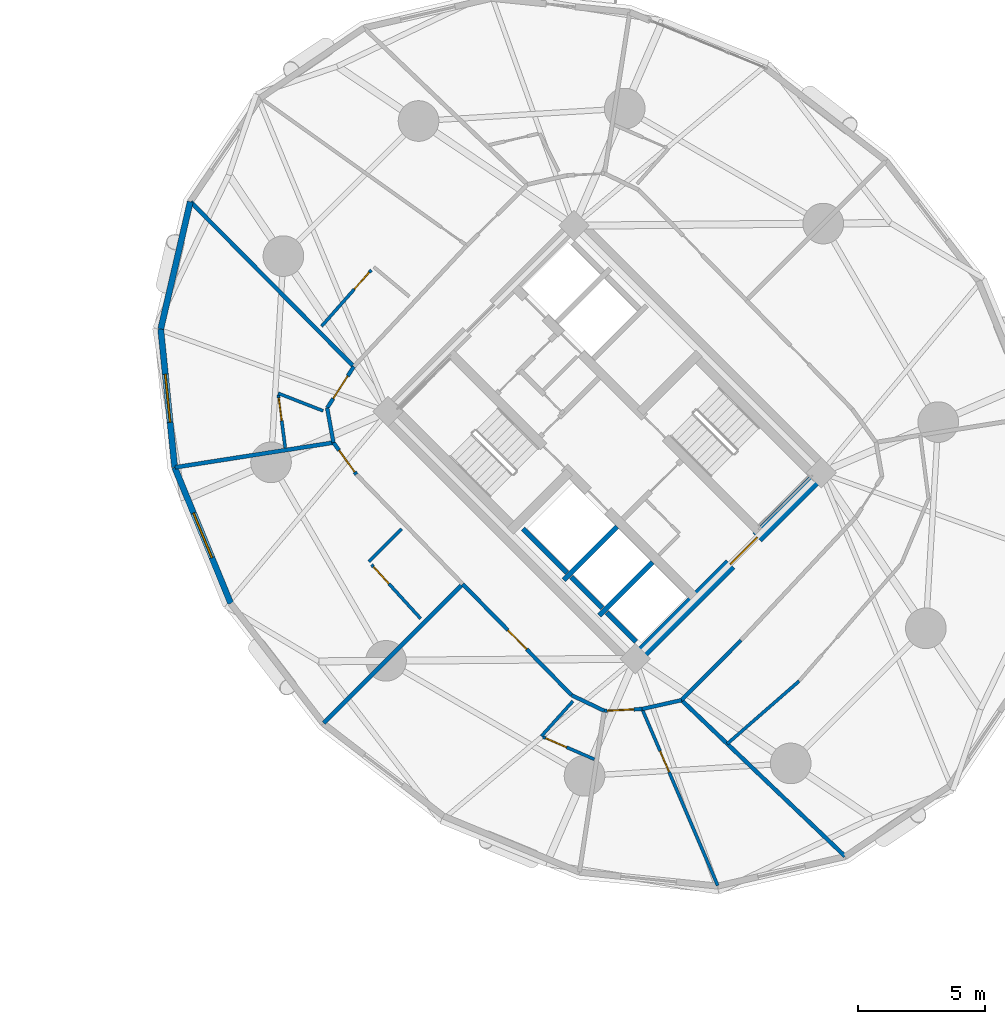
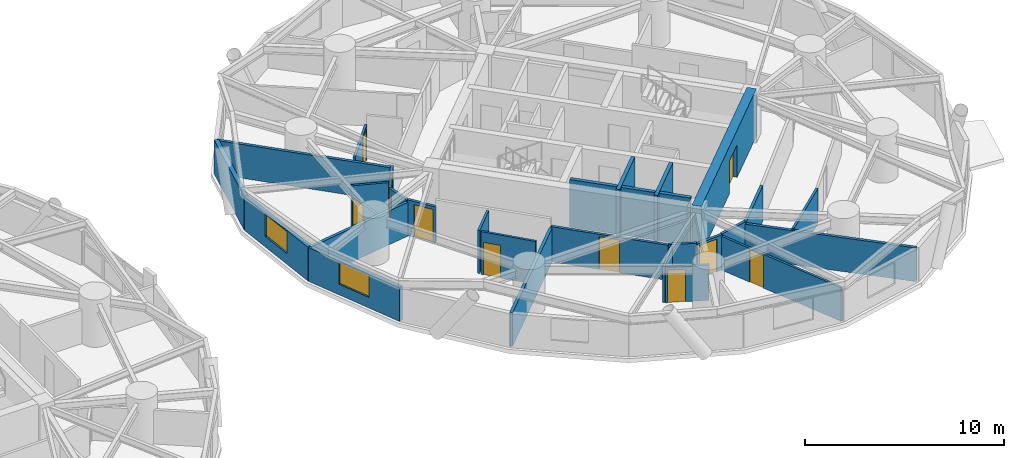
# One storey, part 12 of 18: 30 walls, 10 doors, 2 windows, 12 openings.
"""IFC4 building model written with IfcOpenShell, lengths in metres."""

from ifc_helpers import new_model, si_unit, direction, frame, frame_2d, origin, place, context, subcontext, project, spatial, rectangle, extrude, source, transform, mapped, material, layer, layer_set, type_object, element, fill, save


model = new_model("IFC4")

# Units and contexts
model_context = context("Model", 3, precision=1e-05, world=origin(), true_north=direction((0.0, 1.0)))
body_context = subcontext(model_context, "Body", "Model", "MODEL_VIEW")
ifc_project = project(units=[si_unit("LENGTHUNIT", "METRE"), si_unit("AREAUNIT", "SQUARE_METRE"), si_unit("VOLUMEUNIT", "CUBIC_METRE"), si_unit("PLANEANGLEUNIT", "RADIAN"), si_unit("MASSUNIT", "GRAM", prefix="KILO")], contexts=[model_context])

# Site, building, storey
site_placement = place(None, origin())
site = spatial("IfcSite", under=ifc_project, at=site_placement, CompositionType="ELEMENT")
building_placement = place(site_placement, origin())
building = spatial("IfcBuilding", under=site, at=building_placement, Name="Cununo Teusaquillo Station Towers", CompositionType="ELEMENT")
storey_placement = place(building_placement, frame((0.0, 0.0, 51.10009765625)))
storey = spatial("IfcBuildingStorey", under=building, at=storey_placement, Name="L15", CompositionType="ELEMENT", Elevation=51.10009765625)

# Walls
ifc_material_1 = material(Name="Concrete C50/60", Category="concrete")
ifc_layer_1 = layer(ifc_material_1, 0.199951171875)
ifc_layer_set_1 = layer_set([ifc_layer_1], Name="Concrete C50/60")
wall_type_1 = type_object("IfcWallType", Name="WL-CORE-200", PredefinedType="SHEAR", material=ifc_layer_set_1)
wall_1_placement = place(storey_placement, frame((55.8876953125, 19.0693359375, 0.0), z_axis=(0.0, 0.0, 1.0), x_axis=(0.707106781187, 0.707106781187, 0.0)))
element("IfcWall", 1, at=wall_1_placement, inside=storey, type_object=wall_type_1, Name="L15 Tower B Firefighting Lift Shaft South Shear Wall", PredefinedType="SHEAR", context=body_context, shape_type="SweptSolid", body=[
    extrude(rectangle(XDim=2.969970703125, YDim=0.199951171875, at=frame_2d((1.48486328125, 0.0))), origin(), (0.0, 0.0, 1.0), 2.909912109375),
])
wall_2_placement = place(storey_placement, frame((56.01513671875, 19.366455078125, 0.0), z_axis=(0.0, 0.0, 1.0), x_axis=(-0.707106781187, 0.707106781187, 0.0)))
element("IfcWall", 2, at=wall_2_placement, inside=storey, type_object=wall_type_1, Name="L15 Tower B Firefighting Lift Shaft Rear Shear Wall", PredefinedType="SHEAR", context=body_context, shape_type="SweptSolid", body=[
    extrude(rectangle(XDim=2.43994140625, YDim=0.199951171875, at=frame_2d((1.219970703125, 0.0))), origin(), (0.0, 0.0, 1.0), 2.909912109375),
])
wall_3_placement = place(storey_placement, frame((57.2841796875, 17.6728515625, 0.0), z_axis=(0.0, 0.0, 1.0), x_axis=(0.707147878904, 0.70706568108, 0.0)))
element("IfcWall", 3, at=wall_3_placement, inside=storey, type_object=wall_type_1, Name="L15 Tower B High-Rise Lift Hoistway Divider Shear Wall", PredefinedType="SHEAR", context=body_context, shape_type="SweptSolid", body=[
    extrude(rectangle(XDim=2.97021484375, YDim=0.199951171875, at=frame_2d((1.485107421875, 0.0))), origin(), (0.0, 0.0, 1.0), 2.909912109375),
])
wall_4_placement = place(storey_placement, frame((57.41162109375, 17.969970703125, 0.0), z_axis=(0.0, 0.0, 1.0), x_axis=(-0.707106781187, 0.707106781187, 0.0)))
element("IfcWall", 4, at=wall_4_placement, inside=storey, type_object=wall_type_1, Name="L15 Tower B High-Rise Lift 2 Shaft Rear Shear Wall", PredefinedType="SHEAR", context=body_context, shape_type="SweptSolid", body=[
    extrude(rectangle(XDim=1.73486328125, YDim=0.199951171875, at=frame_2d((0.867431640625, 0.0))), origin(), (0.0, 0.0, 1.0), 2.909912109375),
])
wall_5_placement = place(storey_placement, frame((58.7373046875, 16.64404296875, 0.0), z_axis=(0.0, 0.0, 1.0), x_axis=(-0.707032117043, 0.707181437447, 0.0)))
element("IfcWall", 5, at=wall_5_placement, inside=storey, type_object=wall_type_1, Name="L15 Tower B High-Rise Lift 1 Shaft Rear Shear Wall", PredefinedType="SHEAR", context=body_context, shape_type="SweptSolid", body=[
    extrude(rectangle(XDim=1.635009765625, YDim=0.199951171875, at=frame_2d((0.8173828125, 0.0))), origin(), (0.0, 0.0, 1.0), 2.909912109375),
])

# Wall, opening, door
ifc_material_2 = material(Name="Concrete C60/75", Category="concrete")
ifc_layer_2 = layer(ifc_material_2, 0.5)
ifc_layer_set_2 = layer_set([ifc_layer_2], Name="Concrete C60/75")
wall_type_2 = type_object("IfcWallType", Name="WL-CORE-500", PredefinedType="SHEAR", material=ifc_layer_set_2)
wall_6_placement = place(storey_placement, frame((58.595947265625, 15.837890625, 0.0), z_axis=(0.0, 0.0, 1.0), x_axis=(0.707106781187, 0.707106781187, 0.0)))
wall_6 = element("IfcWall", 6, at=wall_6_placement, inside=storey, type_object=wall_type_2, Name="L15 Tower B Core Shear Wall S", PredefinedType="SHEAR", context=body_context, shape_type="SweptSolid", body=[
    extrude(rectangle(XDim=10.7001953125, YDim=0.5, at=frame_2d((5.35009765625, 0.0))), origin(), (0.0, 0.0, 1.0), 2.909912109375),
])
shared_shape_1 = source(origin(), body_context, "Body", "SweptSolid", [
    extrude(rectangle(XDim=1.5, YDim=2.02001953125, at=frame_2d((0.75, 1.010009765625))), frame((0.0, 0.260009765625, 0.0), z_axis=(0.0, -1.0, 0.0), x_axis=(1.0, 0.0, 0.0)), (0.0, 0.0, 1.0), 0.52001953125),
])
opening_1_placement = place(wall_6_placement, frame((5.449951171875, 0.0, 0.0)))
opening_1 = element("IfcOpeningElement", 7, at=opening_1_placement, cuts=wall_6, Name="Opening D-LB1", PredefinedType="OPENING", context=body_context, shape_type="MappedRepresentation", body=[
    mapped(shared_shape_1, transform((0.0, 0.0, 0.0), x_axis=(1.0, 0.0, 0.0), y_axis=(0.0, 1.0, 0.0), z_axis=(0.0, 0.0, 1.0), scale=1.0)),
])
ifc_material_3 = material(Name="Galvanised fire-rated hollow steel door assembly", Category="steel")
door_type_1 = type_object("IfcDoorType", Name="DR-LOBBY-1500", OperationType="DOUBLE_DOOR_SINGLE_SWING", PredefinedType="DOOR", material=ifc_material_3)
shared_shape_2 = source(origin(), body_context, "Body", "SweptSolid", [
    extrude(rectangle(XDim=1.5, YDim=2.02001953125, at=frame_2d((0.75, 1.010009765625))), frame((0.0, 0.02490234375, 0.0), z_axis=(0.0, -1.0, 0.0), x_axis=(1.0, 0.0, 0.0)), (0.0, 0.0, 1.0), 0.050048828125),
])
door_1_placement = place(opening_1_placement, origin())
door_1 = element("IfcDoor", 8, at=door_1_placement, inside=storey, type_object=door_type_1, Name="L15 Tower B South Core Lift Lobby Door", OperationType="DOUBLE_DOOR_SINGLE_SWING", OverallHeight=2.02001953125, OverallWidth=1.5, PredefinedType="DOOR", context=body_context, shape_type="MappedRepresentation", body=[
    mapped(shared_shape_2, transform((0.0, 0.0, 0.0), x_axis=(1.0, 0.0, 0.0), y_axis=(0.0, 1.0, 0.0), z_axis=(0.0, 0.0, 1.0), scale=1.0)),
])
fill(opening_1, door_1)

# Wall
ifc_material_4 = material(Name="Precast concrete C40/50", Category="concrete")
ifc_layer_3 = layer(ifc_material_4, 0.239990234375)
ifc_layer_set_3 = layer_set([ifc_layer_3], Name="Precast concrete C40/50")
wall_type_3 = type_object("IfcWallType", Name="WL-EXT-240", PredefinedType="SOLIDWALL", material=ifc_layer_set_3)
wall_7_placement = place(storey_placement, frame((40.023681640625, 28.95654296875, 0.0), z_axis=(0.0, 0.0, 1.0), x_axis=(0.225833060959, 0.974166016949, 0.0)))
element("IfcWall", 9, at=wall_7_placement, inside=storey, type_object=wall_type_3, Name="L15 Tower B Exterior Facade Wall C06", PredefinedType="SOLIDWALL", context=body_context, shape_type="SweptSolid", body=[
    extrude(rectangle(XDim=5.14599609375, YDim=0.239990234375, at=frame_2d((2.572998046875, 0.0))), origin(), (0.0, 0.0, 1.0), 2.072998046875),
])

# Wall, opening, window
wall_8_placement = place(storey_placement, frame((40.572265625, 23.50732421875, 0.0), z_axis=(0.0, 0.0, 1.0), x_axis=(-0.100165739718, 0.994970765694, 0.0)))
wall_8 = element("IfcWall", 10, at=wall_8_placement, inside=storey, type_object=wall_type_3, Name="L15 Tower B Exterior Facade Wall C07", PredefinedType="SOLIDWALL", context=body_context, shape_type="SweptSolid", body=[
    extrude(rectangle(XDim=5.476806640625, YDim=0.239990234375, at=frame_2d((2.73828125, 0.0))), origin(), (0.0, 0.0, 1.0), 2.072998046875),
])
shared_shape_3 = source(origin(), body_context, "Body", "SweptSolid", [
    extrude(rectangle(XDim=1.89990234375, YDim=1.35009765625, at=frame_2d((0.949951171875, 0.675048828125))), frame((0.0, 0.1298828125, 0.0), z_axis=(0.0, -1.0, 0.0), x_axis=(1.0, 0.0, 0.0)), (0.0, 0.0, 1.0), 0.260009765625),
])
opening_2_placement = place(wall_8_placement, frame((1.7880859375, 0.0, 0.64990234375)))
opening_2 = element("IfcOpeningElement", 11, at=opening_2_placement, cuts=wall_8, Name="Opening WN-02", PredefinedType="OPENING", context=body_context, shape_type="MappedRepresentation", body=[
    mapped(shared_shape_3, transform((0.0, 0.0, 0.0), x_axis=(1.0, 0.0, 0.0), y_axis=(0.0, 1.0, 0.0), z_axis=(0.0, 0.0, 1.0), scale=1.0)),
])
ifc_material_5 = material(Name="Operable acoustic tinted low-E double glazing", Category="glass")
window_type = type_object("IfcWindowType", Name="WIN-OPER-1900", PartitioningType="DOUBLE_PANEL_VERTICAL", PredefinedType="WINDOW", material=ifc_material_5)
shared_shape_4 = source(origin(), body_context, "Body", "SweptSolid", [
    extrude(rectangle(XDim=1.89990234375, YDim=1.35009765625, at=frame_2d((0.949951171875, 0.675048828125))), frame((0.0, 0.030029296875, 0.0), z_axis=(0.0, -1.0, 0.0), x_axis=(1.0, 0.0, 0.0)), (0.0, 0.0, 1.0), 0.06005859375),
])
window_1_placement = place(opening_2_placement, origin())
window_1 = element("IfcWindow", 12, at=window_1_placement, inside=storey, type_object=window_type, Name="L15 Tower B Facade Window C07", OverallHeight=1.35009765625, OverallWidth=1.89990234375, PartitioningType="DOUBLE_PANEL_VERTICAL", PredefinedType="WINDOW", context=body_context, shape_type="MappedRepresentation", body=[
    mapped(shared_shape_4, transform((0.0, 0.0, 0.0), x_axis=(1.0, 0.0, 0.0), y_axis=(0.0, 1.0, 0.0), z_axis=(0.0, 0.0, 1.0), scale=1.0)),
])
fill(opening_2, window_1)

wall_9_placement = place(storey_placement, frame((42.77783203125, 18.155517578125, 0.0), z_axis=(0.0, 0.0, 1.0), x_axis=(-0.381027682565, 0.924563629567, 0.0)))
wall_9 = element("IfcWall", 13, at=wall_9_placement, inside=storey, type_object=wall_type_3, Name="L15 Tower B Exterior Facade Wall C08", PredefinedType="SOLIDWALL", context=body_context, shape_type="SweptSolid", body=[
    extrude(rectangle(XDim=5.78857421875, YDim=0.239990234375, at=frame_2d((2.894287109375, 0.0))), origin(), (0.0, 0.0, 1.0), 2.072998046875),
])
opening_3_placement = place(wall_9_placement, frame((1.944091796875, 0.0, 0.64990234375)))
opening_3 = element("IfcOpeningElement", 14, at=opening_3_placement, cuts=wall_9, Name="Opening WN-02", PredefinedType="OPENING", context=body_context, shape_type="MappedRepresentation", body=[
    mapped(shared_shape_3, transform((0.0, 0.0, 0.0), x_axis=(1.0, 0.0, 0.0), y_axis=(0.0, 1.0, 0.0), z_axis=(0.0, 0.0, 1.0), scale=1.0)),
])
window_2_placement = place(opening_3_placement, origin())
window_2 = element("IfcWindow", 15, at=window_2_placement, inside=storey, type_object=window_type, Name="L15 Tower B Facade Window C08", OverallHeight=1.35009765625, OverallWidth=1.89990234375, PartitioningType="DOUBLE_PANEL_VERTICAL", PredefinedType="WINDOW", context=body_context, shape_type="MappedRepresentation", body=[
    mapped(shared_shape_4, transform((0.0, 0.0, 0.0), x_axis=(1.0, 0.0, 0.0), y_axis=(0.0, 1.0, 0.0), z_axis=(0.0, 0.0, 1.0), scale=1.0)),
])
fill(opening_3, window_2)

# Wall, opening, door
ifc_material_6 = material(Name="Fire-rated gypsum plasterboard partition assembly", Category="gypsum")
ifc_layer_4 = layer(ifc_material_6, 0.125)
ifc_layer_set_4 = layer_set([ifc_layer_4], Name="Fire-rated gypsum plasterboard partition assembly")
wall_type_4 = type_object("IfcWallType", Name="WL-PART-125", PredefinedType="PARTITIONING", material=ifc_layer_set_4)
wall_10_placement = place(storey_placement, frame((48.312744140625, 31.2802734375, 0.0), z_axis=(0.0, 0.0, 1.0), x_axis=(-0.662230126621, -0.749300513409, 0.0)))
wall_10 = element("IfcWall", 16, at=wall_10_placement, inside=storey, type_object=wall_type_4, Name="L15 Tower B S02 En-suite Back Wall", PredefinedType="PARTITIONING", context=body_context, shape_type="SweptSolid", body=[
    extrude(rectangle(XDim=2.958251953125, YDim=0.125, at=frame_2d((1.47900390625, 0.0))), origin(), (0.0, 0.0, 1.0), 2.158935546875),
])
shared_shape_5 = source(origin(), body_context, "Body", "SweptSolid", [
    extrude(rectangle(XDim=0.89990234375, YDim=2.0048828125, at=frame_2d((0.449951171875, 1.00244140625))), frame((0.0, 0.072509765625, 0.0), z_axis=(0.0, -1.0, 0.0), x_axis=(1.0, 0.0, 0.0)), (0.0, 0.0, 1.0), 0.14501953125),
])
opening_4_placement = place(wall_10_placement, frame((0.1201171875, 0.0, 0.0)))
opening_4 = element("IfcOpeningElement", 17, at=opening_4_placement, cuts=wall_10, Name="Opening D-IN1", PredefinedType="OPENING", context=body_context, shape_type="MappedRepresentation", body=[
    mapped(shared_shape_5, transform((0.0, 0.0, 0.0), x_axis=(1.0, 0.0, 0.0), y_axis=(0.0, 1.0, 0.0), z_axis=(0.0, 0.0, 1.0), scale=1.0)),
])
ifc_material_7 = material(Name="Acoustic solid-core hardwood leaf assembly", Category="wood")
door_type_2 = type_object("IfcDoorType", Name="DR-INT-900", OperationType="NOTDEFINED", PredefinedType="DOOR", material=ifc_material_7)
shared_shape_6 = source(origin(), body_context, "Body", "SweptSolid", [
    extrude(rectangle(XDim=0.89990234375, YDim=2.0048828125, at=frame_2d((0.449951171875, 1.00244140625))), frame((0.0, 0.02490234375, 0.0), z_axis=(0.0, -1.0, 0.0), x_axis=(1.0, 0.0, 0.0)), (0.0, 0.0, 1.0), 0.050048828125),
])
door_2_placement = place(opening_4_placement, origin())
door_2 = element("IfcDoor", 18, at=door_2_placement, inside=storey, type_object=door_type_2, Name="L15 Tower B S02 En-suite Bathroom Door", OperationType="SINGLE_SWING_LEFT", OverallHeight=2.0048828125, OverallWidth=0.89990234375, PredefinedType="DOOR", context=body_context, shape_type="MappedRepresentation", body=[
    mapped(shared_shape_6, transform((0.0, 0.0, 0.0), x_axis=(1.0, 0.0, 0.0), y_axis=(0.0, 1.0, 0.0), z_axis=(0.0, 0.0, 1.0), scale=1.0)),
])
fill(opening_4, door_2)

# Wall
wall_11_placement = place(storey_placement, frame((46.415771484375, 25.734619140625, 0.0), z_axis=(0.0, 0.0, 1.0), x_axis=(-0.931623241188, 0.363425558373, 0.0)))
element("IfcWall", 19, at=wall_11_placement, inside=storey, type_object=wall_type_4, Name="L15 Tower B S03 En-suite Side Wall", PredefinedType="PARTITIONING", context=body_context, shape_type="SweptSolid", body=[
    extrude(rectangle(XDim=1.900390625, YDim=0.125, at=frame_2d((0.9501953125, 0.0))), origin(), (0.0, 0.0, 1.0), 2.635009765625),
])

# Wall, opening, door
wall_12_placement = place(storey_placement, frame((44.653564453125, 26.360595703125, 0.0), z_axis=(0.0, 0.0, 1.0), x_axis=(0.129433729192, -0.991588074629, 0.0)))
wall_12 = element("IfcWall", 20, at=wall_12_placement, inside=storey, type_object=wall_type_4, Name="L15 Tower B S03 En-suite Back Wall", PredefinedType="PARTITIONING", context=body_context, shape_type="SweptSolid", body=[
    extrude(rectangle(XDim=2.097412109375, YDim=0.125, at=frame_2d((1.048828125, 0.0))), origin(), (0.0, 0.0, 1.0), 2.072998046875),
])
opening_5_placement = place(wall_12_placement, frame((0.1201171875, 0.0, 0.0)))
opening_5 = element("IfcOpeningElement", 21, at=opening_5_placement, cuts=wall_12, Name="Opening D-IN1", PredefinedType="OPENING", context=body_context, shape_type="MappedRepresentation", body=[
    mapped(shared_shape_5, transform((0.0, 0.0, 0.0), x_axis=(1.0, 0.0, 0.0), y_axis=(0.0, 1.0, 0.0), z_axis=(0.0, 0.0, 1.0), scale=1.0)),
])
door_3_placement = place(opening_5_placement, origin())
door_3 = element("IfcDoor", 22, at=door_3_placement, inside=storey, type_object=door_type_2, Name="L15 Tower B S03 En-suite Bathroom Door", OperationType="SINGLE_SWING_LEFT", OverallHeight=2.0048828125, OverallWidth=0.89990234375, PredefinedType="DOOR", context=body_context, shape_type="MappedRepresentation", body=[
    mapped(shared_shape_6, transform((0.0, 0.0, 0.0), x_axis=(1.0, 0.0, 0.0), y_axis=(0.0, 1.0, 0.0), z_axis=(0.0, 0.0, 1.0), scale=1.0)),
])
fill(opening_5, door_3)

# Wall
wall_13_placement = place(storey_placement, frame((49.498291015625, 21.087158203125, 0.0), z_axis=(0.0, 0.0, 1.0), x_axis=(-0.702129708151, -0.71204906638, 0.0)))
element("IfcWall", 23, at=wall_13_placement, inside=storey, type_object=wall_type_4, Name="L15 Tower B S04 En-suite Side Wall", PredefinedType="PARTITIONING", context=body_context, shape_type="SweptSolid", body=[
    extrude(rectangle(XDim=1.8212890625, YDim=0.125, at=frame_2d((0.91064453125, 0.0))), origin(), (0.0, 0.0, 1.0), 2.635009765625),
])

# Wall, opening, door
wall_14_placement = place(storey_placement, frame((48.3203125, 19.6796875, 0.0), z_axis=(0.0, 0.0, 1.0), x_axis=(0.673403410236, -0.739275217414, 0.0)))
wall_14 = element("IfcWall", 24, at=wall_14_placement, inside=storey, type_object=wall_type_4, Name="L15 Tower B S04 En-suite Back Wall", PredefinedType="PARTITIONING", context=body_context, shape_type="SweptSolid", body=[
    extrude(rectangle(XDim=2.8759765625, YDim=0.125, at=frame_2d((1.43798828125, 0.0))), origin(), (0.0, 0.0, 1.0), 2.635009765625),
])
opening_6_placement = place(wall_14_placement, frame((0.1201171875, 0.0, 0.0)))
opening_6 = element("IfcOpeningElement", 25, at=opening_6_placement, cuts=wall_14, Name="Opening D-IN1", PredefinedType="OPENING", context=body_context, shape_type="MappedRepresentation", body=[
    mapped(shared_shape_5, transform((0.0, 0.0, 0.0), x_axis=(1.0, 0.0, 0.0), y_axis=(0.0, 1.0, 0.0), z_axis=(0.0, 0.0, 1.0), scale=1.0)),
])
door_4_placement = place(opening_6_placement, origin())
door_4 = element("IfcDoor", 26, at=door_4_placement, inside=storey, type_object=door_type_2, Name="L15 Tower B S04 En-suite Bathroom Door", OperationType="SINGLE_SWING_LEFT", OverallHeight=2.0048828125, OverallWidth=0.89990234375, PredefinedType="DOOR", context=body_context, shape_type="MappedRepresentation", body=[
    mapped(shared_shape_6, transform((0.0, 0.0, 0.0), x_axis=(1.0, 0.0, 0.0), y_axis=(0.0, 1.0, 0.0), z_axis=(0.0, 0.0, 1.0), scale=1.0)),
])
fill(opening_6, door_4)

# Wall
wall_15_placement = place(storey_placement, frame((56.249267578125, 14.3017578125, 0.0), z_axis=(0.0, 0.0, 1.0), x_axis=(-0.669226451819, -0.743058514645, 0.0)))
element("IfcWall", 27, at=wall_15_placement, inside=storey, type_object=wall_type_4, Name="L15 Tower B S05 En-suite Side Wall", PredefinedType="PARTITIONING", context=body_context, shape_type="SweptSolid", body=[
    extrude(rectangle(XDim=1.85498046875, YDim=0.125, at=frame_2d((0.927490234375, 0.0))), origin(), (0.0, 0.0, 1.0), 2.204833984375),
])

# Wall, opening, door
wall_16_placement = place(storey_placement, frame((55.071044921875, 12.895751953125, 0.0), z_axis=(0.0, 0.0, 1.0), x_axis=(0.916939896123, -0.399025346184, 0.0)))
wall_16 = element("IfcWall", 28, at=wall_16_placement, inside=storey, type_object=wall_type_4, Name="L15 Tower B S05 En-suite Back Wall", PredefinedType="PARTITIONING", context=body_context, shape_type="SweptSolid", body=[
    extrude(rectangle(XDim=2.20751953125, YDim=0.125, at=frame_2d((1.103759765625, 0.0))), origin(), (0.0, 0.0, 1.0), 2.158935546875),
])
opening_7_placement = place(wall_16_placement, frame((0.1201171875, 0.0, 0.0)))
opening_7 = element("IfcOpeningElement", 29, at=opening_7_placement, cuts=wall_16, Name="Opening D-IN1", PredefinedType="OPENING", context=body_context, shape_type="MappedRepresentation", body=[
    mapped(shared_shape_5, transform((0.0, 0.0, 0.0), x_axis=(1.0, 0.0, 0.0), y_axis=(0.0, 1.0, 0.0), z_axis=(0.0, 0.0, 1.0), scale=1.0)),
])
door_5_placement = place(opening_7_placement, origin())
door_5 = element("IfcDoor", 30, at=door_5_placement, inside=storey, type_object=door_type_2, Name="L15 Tower B S05 En-suite Bathroom Door", OperationType="SINGLE_SWING_LEFT", OverallHeight=2.0048828125, OverallWidth=0.89990234375, PredefinedType="DOOR", context=body_context, shape_type="MappedRepresentation", body=[
    mapped(shared_shape_6, transform((0.0, 0.0, 0.0), x_axis=(1.0, 0.0, 0.0), y_axis=(0.0, 1.0, 0.0), z_axis=(0.0, 0.0, 1.0), scale=1.0)),
])
fill(opening_7, door_5)

wall_17_placement = place(storey_placement, frame((58.975341796875, 13.99560546875, 0.0), z_axis=(0.0, 0.0, 1.0), x_axis=(0.393755664375, -0.919215141723, 0.0)))
wall_17 = element("IfcWall", 31, at=wall_17_placement, inside=storey, type_object=wall_type_4, Name="L15 Tower B Hotel Sommelier & Wine Salon Suite Subdividing Wall", PredefinedType="PARTITIONING", context=body_context, shape_type="SweptSolid", body=[
    extrude(rectangle(XDim=7.563232421875, YDim=0.125, at=frame_2d((3.78173828125, 0.0))), origin(), (0.0, 0.0, 1.0), 2.072998046875),
])
opening_8_placement = place(wall_17_placement, frame((1.800048828125, 0.0, 0.0)))
opening_8 = element("IfcOpeningElement", 32, at=opening_8_placement, cuts=wall_17, Name="Opening D-IN1", PredefinedType="OPENING", context=body_context, shape_type="MappedRepresentation", body=[
    mapped(shared_shape_5, transform((0.0, 0.0, 0.0), x_axis=(1.0, 0.0, 0.0), y_axis=(0.0, 1.0, 0.0), z_axis=(0.0, 0.0, 1.0), scale=1.0)),
])
door_6_placement = place(opening_8_placement, origin())
door_6 = element("IfcDoor", 33, at=door_6_placement, inside=storey, type_object=door_type_2, Name="L15 Tower B Hotel Sommelier & Wine Salon Suite Connecting Door", OperationType="SINGLE_SWING_LEFT", OverallHeight=2.0048828125, OverallWidth=0.89990234375, PredefinedType="DOOR", context=body_context, shape_type="MappedRepresentation", body=[
    mapped(shared_shape_6, transform((0.0, 0.0, 0.0), x_axis=(1.0, 0.0, 0.0), y_axis=(0.0, 1.0, 0.0), z_axis=(0.0, 0.0, 1.0), scale=1.0)),
])
fill(opening_8, door_6)

# Wall
wall_18_placement = place(storey_placement, frame((62.328857421875, 12.625, 0.0), z_axis=(0.0, 0.0, 1.0), x_axis=(0.753237140985, 0.657749047465, 0.0)))
element("IfcWall", 34, at=wall_18_placement, inside=storey, type_object=wall_type_4, Name="L15 Tower B Hotel Housekeeping & Linen Pantry Concentric Partition Wall C14", PredefinedType="PARTITIONING", context=body_context, shape_type="SweptSolid", body=[
    extrude(rectangle(XDim=3.75341796875, YDim=0.125, at=frame_2d((1.876708984375, 0.0))), origin(), (0.0, 0.0, 1.0), 2.158935546875),
])

# Wall, opening, door
ifc_material_8 = material(Name="Fire-rated gypsum plasterboard partition assembly", Category="gypsum")
ifc_layer_5 = layer(ifc_material_8, 0.14990234375)
ifc_layer_set_5 = layer_set([ifc_layer_5], Name="Fire-rated gypsum plasterboard partition assembly")
wall_type_5 = type_object("IfcWallType", Name="WL-PART-150", PredefinedType="PARTITIONING", material=ifc_layer_set_5)
wall_19_placement = place(storey_placement, frame((47.623046875, 27.475341796875, 0.0), z_axis=(0.0, 0.0, 1.0), x_axis=(-0.54158041545, -0.840648947898, 0.0)))
wall_19 = element("IfcWall", 35, at=wall_19_placement, inside=storey, type_object=wall_type_5, Name="L15 Tower B Corridor Ring Wall C06", PredefinedType="PARTITIONING", context=body_context, shape_type="SweptSolid", body=[
    extrude(rectangle(XDim=1.933837890625, YDim=0.14990234375, at=frame_2d((0.966796875, 0.0))), origin(), (0.0, 0.0, 1.0), 2.158935546875),
])
shared_shape_7 = source(origin(), body_context, "Body", "SweptSolid", [
    extrude(rectangle(XDim=1.050048828125, YDim=2.014892578125, at=frame_2d((0.52490234375, 1.00732421875))), frame((0.0, 0.0849609375, 0.0), z_axis=(0.0, -1.0, 0.0), x_axis=(1.0, 0.0, 0.0)), (0.0, 0.0, 1.0), 0.169921875),
])
opening_9_placement = place(wall_19_placement, frame((0.44189453125, 0.0, 0.0)))
opening_9 = element("IfcOpeningElement", 36, at=opening_9_placement, cuts=wall_19, Name="Opening D-SU1", PredefinedType="OPENING", context=body_context, shape_type="MappedRepresentation", body=[
    mapped(shared_shape_7, transform((0.0, 0.0, 0.0), x_axis=(1.0, 0.0, 0.0), y_axis=(0.0, 1.0, 0.0), z_axis=(0.0, 0.0, 1.0), scale=1.0)),
])
ifc_material_9 = material(Name="Acoustic solid-core hardwood leaf assembly", Category="wood")
door_type_3 = type_object("IfcDoorType", Name="DR-SUITE-1050", OperationType="NOTDEFINED", PredefinedType="DOOR", material=ifc_material_9)
shared_shape_8 = source(origin(), body_context, "Body", "SweptSolid", [
    extrude(rectangle(XDim=1.050048828125, YDim=2.014892578125, at=frame_2d((0.52490234375, 1.00732421875))), frame((0.0, 0.02490234375, 0.0), z_axis=(0.0, -1.0, 0.0), x_axis=(1.0, 0.0, 0.0)), (0.0, 0.0, 1.0), 0.050048828125),
])
door_7_placement = place(opening_9_placement, origin())
door_7 = element("IfcDoor", 37, at=door_7_placement, inside=storey, type_object=door_type_3, Name="L15 Tower B Chancellor Corner Hotel Suite Entrance Door", OperationType="SINGLE_SWING_RIGHT", OverallHeight=2.014892578125, OverallWidth=1.050048828125, PredefinedType="DOOR", context=body_context, shape_type="MappedRepresentation", body=[
    mapped(shared_shape_8, transform((0.0, 0.0, 0.0), x_axis=(1.0, 0.0, 0.0), y_axis=(0.0, 1.0, 0.0), z_axis=(0.0, 0.0, 1.0), scale=1.0)),
])
fill(opening_9, door_7)

# Wall
wall_20_placement = place(storey_placement, frame((46.57568359375, 25.849609375, 0.0), z_axis=(0.0, 0.0, 1.0), x_axis=(0.178962865041, -0.983855829345, 0.0)))
element("IfcWall", 38, at=wall_20_placement, inside=storey, type_object=wall_type_5, Name="L15 Tower B Corridor Ring Wall C07", PredefinedType="PARTITIONING", context=body_context, shape_type="SweptSolid", body=[
    extrude(rectangle(XDim=1.387451171875, YDim=0.14990234375, at=frame_2d((0.69384765625, 0.0))), origin(), (0.0, 0.0, 1.0), 2.158935546875),
])

# Wall, opening, door
wall_21_placement = place(storey_placement, frame((46.823974609375, 24.484619140625, 0.0), z_axis=(0.0, 0.0, 1.0), x_axis=(0.584890953925, -0.811111935565, 0.0)))
wall_21 = element("IfcWall", 39, at=wall_21_placement, inside=storey, type_object=wall_type_5, Name="L15 Tower B Corridor Ring Wall C08", PredefinedType="PARTITIONING", context=body_context, shape_type="SweptSolid", body=[
    extrude(rectangle(XDim=1.546630859375, YDim=0.14990234375, at=frame_2d((0.7734375, 0.0))), origin(), (0.0, 0.0, 1.0), 2.204833984375),
])
opening_10_placement = place(wall_21_placement, frame((0.376708984375, 0.0, 0.0)))
opening_10 = element("IfcOpeningElement", 40, at=opening_10_placement, cuts=wall_21, Name="Opening D-SU1", PredefinedType="OPENING", context=body_context, shape_type="MappedRepresentation", body=[
    mapped(shared_shape_7, transform((0.0, 0.0, 0.0), x_axis=(1.0, 0.0, 0.0), y_axis=(0.0, 1.0, 0.0), z_axis=(0.0, 0.0, 1.0), scale=1.0)),
])
door_8_placement = place(opening_10_placement, origin())
door_8 = element("IfcDoor", 41, at=door_8_placement, inside=storey, type_object=door_type_3, Name="L15 Tower B Consular Hospitality Suite Entrance Door", OperationType="SINGLE_SWING_RIGHT", OverallHeight=2.014892578125, OverallWidth=1.050048828125, PredefinedType="DOOR", context=body_context, shape_type="MappedRepresentation", body=[
    mapped(shared_shape_8, transform((0.0, 0.0, 0.0), x_axis=(1.0, 0.0, 0.0), y_axis=(0.0, 1.0, 0.0), z_axis=(0.0, 0.0, 1.0), scale=1.0)),
])
fill(opening_10, door_8)

wall_22_placement = place(storey_placement, frame((51.913818359375, 18.913818359375, 0.0), z_axis=(0.0, 0.0, 1.0), x_axis=(0.6999614951, -0.71418058317, 0.0)))
wall_22 = element("IfcWall", 42, at=wall_22_placement, inside=storey, type_object=wall_type_5, Name="L15 Tower B Corridor Ring Wall C10", PredefinedType="PARTITIONING", context=body_context, shape_type="SweptSolid", body=[
    extrude(rectangle(XDim=6.129638671875, YDim=0.14990234375, at=frame_2d((3.06494140625, 0.0))), origin(), (0.0, 0.0, 1.0), 2.158935546875),
])
opening_11_placement = place(wall_22_placement, frame((2.539794921875, 0.0, 0.0)))
opening_11 = element("IfcOpeningElement", 43, at=opening_11_placement, cuts=wall_22, Name="Opening D-SU1", PredefinedType="OPENING", context=body_context, shape_type="MappedRepresentation", body=[
    mapped(shared_shape_7, transform((0.0, 0.0, 0.0), x_axis=(1.0, 0.0, 0.0), y_axis=(0.0, 1.0, 0.0), z_axis=(0.0, 0.0, 1.0), scale=1.0)),
])
door_9_placement = place(opening_11_placement, origin())
door_9 = element("IfcDoor", 44, at=door_9_placement, inside=storey, type_object=door_type_3, Name="L15 Tower B Regent Corner Hotel Suite Entrance Door", OperationType="SINGLE_SWING_RIGHT", OverallHeight=2.014892578125, OverallWidth=1.050048828125, PredefinedType="DOOR", context=body_context, shape_type="MappedRepresentation", body=[
    mapped(shared_shape_8, transform((0.0, 0.0, 0.0), x_axis=(1.0, 0.0, 0.0), y_axis=(0.0, 1.0, 0.0), z_axis=(0.0, 0.0, 1.0), scale=1.0)),
])
fill(opening_11, door_9)

# Wall
wall_23_placement = place(storey_placement, frame((56.204345703125, 14.5361328125, 0.0), z_axis=(0.0, 0.0, 1.0), x_axis=(0.902244982981, -0.431223828986, 0.0)))
element("IfcWall", 45, at=wall_23_placement, inside=storey, type_object=wall_type_5, Name="L15 Tower B Corridor Ring Wall C11", PredefinedType="PARTITIONING", context=body_context, shape_type="SweptSolid", body=[
    extrude(rectangle(XDim=1.4169921875, YDim=0.14990234375, at=frame_2d((0.70849609375, 0.0))), origin(), (0.0, 0.0, 1.0), 2.204833984375),
])

# Wall, opening, door
wall_24_placement = place(storey_placement, frame((57.48291015625, 13.925048828125, 0.0), z_axis=(0.0, 0.0, 1.0), x_axis=(0.998884345706, 0.047223552414, 0.0)))
wall_24 = element("IfcWall", 46, at=wall_24_placement, inside=storey, type_object=wall_type_5, Name="L15 Tower B Corridor Ring Wall C12", PredefinedType="PARTITIONING", context=body_context, shape_type="SweptSolid", body=[
    extrude(rectangle(XDim=1.494140625, YDim=0.14990234375, at=frame_2d((0.7470703125, 0.0))), origin(), (0.0, 0.0, 1.0), 2.158935546875),
])
opening_12_placement = place(wall_24_placement, frame((0.1201171875, 0.0, 0.0)))
opening_12 = element("IfcOpeningElement", 47, at=opening_12_placement, cuts=wall_24, Name="Opening D-SU1", PredefinedType="OPENING", context=body_context, shape_type="MappedRepresentation", body=[
    mapped(shared_shape_7, transform((0.0, 0.0, 0.0), x_axis=(1.0, 0.0, 0.0), y_axis=(0.0, 1.0, 0.0), z_axis=(0.0, 0.0, 1.0), scale=1.0)),
])
door_10_placement = place(opening_12_placement, origin())
door_10 = element("IfcDoor", 48, at=door_10_placement, inside=storey, type_object=door_type_3, Name="L15 Tower B Hotel Sommelier & Wine Salon Entrance Door", OperationType="SINGLE_SWING_RIGHT", OverallHeight=2.014892578125, OverallWidth=1.050048828125, PredefinedType="DOOR", context=body_context, shape_type="MappedRepresentation", body=[
    mapped(shared_shape_8, transform((0.0, 0.0, 0.0), x_axis=(1.0, 0.0, 0.0), y_axis=(0.0, 1.0, 0.0), z_axis=(0.0, 0.0, 1.0), scale=1.0)),
])
fill(opening_12, door_10)

# Walls
wall_25_placement = place(storey_placement, frame((58.975341796875, 13.99560546875, 0.0), z_axis=(0.0, 0.0, 1.0), x_axis=(0.975700857392, 0.219106907431, 0.0)))
element("IfcWall", 49, at=wall_25_placement, inside=storey, type_object=wall_type_5, Name="L15 Tower B Corridor Ring Wall C13", PredefinedType="PARTITIONING", context=body_context, shape_type="SweptSolid", body=[
    extrude(rectangle(XDim=1.591064453125, YDim=0.14990234375, at=frame_2d((0.79541015625, 0.0))), origin(), (0.0, 0.0, 1.0), 2.204833984375),
])
wall_26_placement = place(storey_placement, frame((60.52783203125, 14.34423828125, 0.0), z_axis=(0.0, 0.0, 1.0), x_axis=(0.704381645997, 0.709821454158, 0.0)))
element("IfcWall", 50, at=wall_26_placement, inside=storey, type_object=wall_type_5, Name="L15 Tower B Corridor Ring Wall C14", PredefinedType="PARTITIONING", context=body_context, shape_type="SweptSolid", body=[
    extrude(rectangle(XDim=3.321044921875, YDim=0.14990234375, at=frame_2d((1.66064453125, 0.0))), origin(), (0.0, 0.0, 1.0), 2.158935546875),
])
ifc_material_10 = material(Name="Fire-rated gypsum plasterboard partition assembly", Category="gypsum")
ifc_layer_6 = layer(ifc_material_10, 0.159912109375)
ifc_layer_set_6 = layer_set([ifc_layer_6], Name="Fire-rated gypsum plasterboard partition assembly")
wall_type_6 = type_object("IfcWallType", Name="WL-PART-160", PredefinedType="PARTITIONING", material=ifc_layer_set_6)
wall_27_placement = place(storey_placement, frame((47.623046875, 27.475341796875, 0.0), z_axis=(0.0, 0.0, 1.0), x_axis=(-0.703512438021, 0.71068294587, 0.0)))
element("IfcWall", 51, at=wall_27_placement, inside=storey, type_object=wall_type_6, Name="L15 Tower B Radial Suite Partition R04", PredefinedType="PARTITIONING", context=body_context, shape_type="SweptSolid", body=[
    extrude(rectangle(XDim=9.124755859375, YDim=0.159912109375, at=frame_2d((4.5625, 0.0))), origin(), (0.0, 0.0, 1.0), 2.072998046875),
])
wall_28_placement = place(storey_placement, frame((46.823974609375, 24.484619140625, 0.0), z_axis=(0.0, 0.0, 1.0), x_axis=(-0.988003730645, -0.154430010784, 0.0)))
element("IfcWall", 52, at=wall_28_placement, inside=storey, type_object=wall_type_6, Name="L15 Tower B Radial Suite Partition R05", PredefinedType="PARTITIONING", context=body_context, shape_type="SweptSolid", body=[
    extrude(rectangle(XDim=6.307861328125, YDim=0.159912109375, at=frame_2d((3.15380859375, 0.0))), origin(), (0.0, 0.0, 1.0), 2.072998046875),
])
wall_29_placement = place(storey_placement, frame((51.913818359375, 18.913818359375, 0.0), z_axis=(0.0, 0.0, 1.0), x_axis=(-0.707106781187, -0.707106781187, 0.0)))
element("IfcWall", 53, at=wall_29_placement, inside=storey, type_object=wall_type_6, Name="L15 Tower B Radial Suite Partition R06", PredefinedType="PARTITIONING", context=body_context, shape_type="SweptSolid", body=[
    extrude(rectangle(XDim=7.742919921875, YDim=0.159912109375, at=frame_2d((3.87158203125, 0.0))), origin(), (0.0, 0.0, 1.0), 2.072998046875),
])
wall_30_placement = place(storey_placement, frame((60.52783203125, 14.34423828125, 0.0), z_axis=(0.0, 0.0, 1.0), x_axis=(0.723320016743, -0.690512963947, 0.0)))
element("IfcWall", 54, at=wall_30_placement, inside=storey, type_object=wall_type_6, Name="L15 Tower B Radial Suite Partition R08", PredefinedType="PARTITIONING", context=body_context, shape_type="SweptSolid", body=[
    extrude(rectangle(XDim=8.892822265625, YDim=0.159912109375, at=frame_2d((4.4462890625, 0.0))), origin(), (0.0, 0.0, 1.0), 2.072998046875),
])

save(model, "model.ifc")
